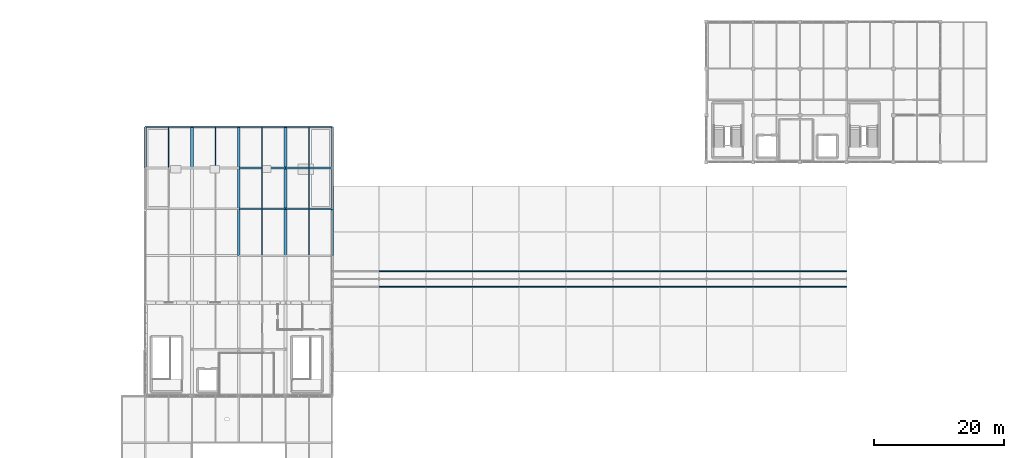
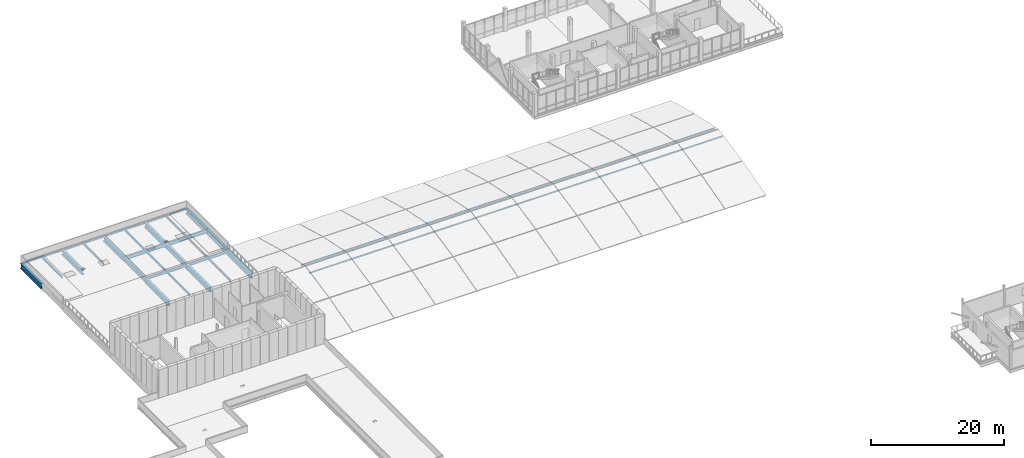
# One storey, part 13 of 47: 27 beams, 20 members.
"""IFC4 building model written with IfcOpenShell, lengths in metres."""

from ifc_helpers import new_model, si_unit, direction, frame, origin, origin_2d, place, context, subcontext, project, spatial, hollow_rectangle, i_section, extrude, material, material_profile, profile_set, type_object, element, save


model = new_model("IFC4")

# Units and contexts
model_context = context("Model", 3, precision=1e-05, world=origin(), true_north=direction((0.0, 1.0)))
body_context = subcontext(model_context, "Body", "Model", "MODEL_VIEW")
ifc_project = project(units=[si_unit("LENGTHUNIT", "METRE"), si_unit("AREAUNIT", "SQUARE_METRE"), si_unit("VOLUMEUNIT", "CUBIC_METRE"), si_unit("PLANEANGLEUNIT", "RADIAN"), si_unit("MASSUNIT", "GRAM", prefix="KILO")], contexts=[model_context])

# Site, building, storey
site_placement = place(None, origin())
site = spatial("IfcSite", under=ifc_project, at=site_placement, CompositionType="ELEMENT")
building_placement = place(site_placement, origin())
building = spatial("IfcBuilding", under=site, at=building_placement, Name="Yarey Park Central Fire Station", CompositionType="ELEMENT")
storey_placement = place(building_placement, frame((0.0, 0.0, 18.0)))
storey = spatial("IfcBuildingStorey", under=building, at=storey_placement, Name="L05", CompositionType="ELEMENT", Elevation=18.0)

# Beams
ifc_material_1 = material(Name="Steel ASTM A992 Gr. 50", Category="steel")
ifc_material_profile_1 = material_profile(ifc_material_1, i_section(OverallWidth=0.208984375, OverallDepth=0.532958984375, WebThickness=0.01025390625, FlangeThickness=0.015625, at=origin_2d()), Name="W530x92")
ifc_profile_set_1 = profile_set([ifc_material_profile_1], Name="Steel ASTM A992 Gr. 50")
beam_type_1 = type_object("IfcBeamType", Name="STR_BM_W530", PredefinedType="BEAM", material=ifc_profile_set_1)
beam_1_placement = place(storey_placement, frame((43.199951171875, 86.39990234375, -0.531494140625), z_axis=(1.0, 0.0, 0.0), x_axis=(0.0, 1.0, 0.0)))
element("IfcBeam", 1, at=beam_1_placement, inside=storey, type_object=beam_type_1, Name="BMX L05 Y864 X432", PredefinedType="BEAM", context=body_context, shape_type="SweptSolid", body=[
    extrude(i_section(OverallWidth=0.208984375, OverallDepth=0.532958984375, WebThickness=0.01025390625, FlangeThickness=0.015625, at=origin_2d()), origin(), (0.0, 0.0, 1.0), 7.199951171875),
])
beam_2_placement = place(storey_placement, frame((50.39990234375, 86.39990234375, -0.531494140625), z_axis=(1.0, 0.0, 0.0), x_axis=(0.0, 1.0, 0.0)))
element("IfcBeam", 2, at=beam_2_placement, inside=storey, type_object=beam_type_1, Name="BMX L05 Y864 X504", PredefinedType="BEAM", context=body_context, shape_type="SweptSolid", body=[
    extrude(i_section(OverallWidth=0.208984375, OverallDepth=0.532958984375, WebThickness=0.01025390625, FlangeThickness=0.015625, at=origin_2d()), origin(), (0.0, 0.0, 1.0), 7.2001953125),
])
ifc_material_profile_2 = material_profile(ifc_material_1, i_section(OverallWidth=0.256103515625, OverallDepth=0.693115234375, WebThickness=0.014404296875, FlangeThickness=0.023681640625, at=origin_2d()), Name="W690x170")
ifc_profile_set_2 = profile_set([ifc_material_profile_2], Name="Steel ASTM A992 Gr. 50")
beam_type_2 = type_object("IfcBeamType", Name="STR_BM_W690", PredefinedType="BEAM", material=ifc_profile_set_2)
beam_3_placement = place(storey_placement, frame((43.199951171875, 92.699951171875, -0.556396484375), z_axis=(1.0, 0.0, 0.0), x_axis=(0.0, 1.0, 0.0)))
element("IfcBeam", 3, at=beam_3_placement, inside=storey, type_object=beam_type_2, Name="CANT TIE L05 Y927 X43", PredefinedType="BEAM", context=body_context, shape_type="SweptSolid", body=[
    extrude(i_section(OverallWidth=0.256103515625, OverallDepth=0.693115234375, WebThickness=0.014404296875, FlangeThickness=0.023681640625, at=origin_2d()), origin(), (0.0, 0.0, 1.0), 7.199951171875),
])
beam_4_placement = place(storey_placement, frame((50.39990234375, 92.699951171875, -0.556396484375), z_axis=(1.0, 0.0, 0.0), x_axis=(0.0, 1.0, 0.0)))
element("IfcBeam", 4, at=beam_4_placement, inside=storey, type_object=beam_type_2, Name="CANT TIE L05 Y927 X50", PredefinedType="BEAM", context=body_context, shape_type="SweptSolid", body=[
    extrude(i_section(OverallWidth=0.256103515625, OverallDepth=0.693115234375, WebThickness=0.014404296875, FlangeThickness=0.023681640625, at=origin_2d()), origin(), (0.0, 0.0, 1.0), 7.2001953125),
])
ifc_material_profile_3 = material_profile(ifc_material_1, i_section(OverallWidth=0.41796875, OverallDepth=0.912109375, WebThickness=0.019287109375, FlangeThickness=0.031982421875, at=origin_2d()), Name="W920x342")
ifc_profile_set_3 = profile_set([ifc_material_profile_3], Name="Steel ASTM A992 Gr. 50")
beam_type_3 = type_object("IfcBeamType", Name="STR_BM_W920", PredefinedType="BEAM", material=ifc_profile_set_3)
beam_5_placement = place(storey_placement, frame((36.0, 92.699951171875, -0.666015625), z_axis=(0.0, 1.0, 0.0), x_axis=(-1.0, 0.0, 0.0)))
element("IfcBeam", 5, at=beam_5_placement, inside=storey, type_object=beam_type_3, Name="Transfer Truss TT2 L05 CH6", PredefinedType="BEAM", context=body_context, shape_type="SweptSolid", body=[
    extrude(i_section(OverallWidth=0.41796875, OverallDepth=0.912109375, WebThickness=0.019287109375, FlangeThickness=0.031982421875, at=origin_2d()), origin(), (0.0, 0.0, 1.0), 6.300048828125),
])
beam_6_placement = place(storey_placement, frame((43.199951171875, 79.199951171875, -0.720947265625), z_axis=(0.0, 1.0, 0.0), x_axis=(-1.0, 0.0, 0.0)))
element("IfcBeam", 6, at=beam_6_placement, inside=storey, type_object=beam_type_3, Name="Transfer Truss TT3 L05 CH4", PredefinedType="BEAM", context=body_context, shape_type="SweptSolid", body=[
    extrude(i_section(OverallWidth=0.41796875, OverallDepth=0.912109375, WebThickness=0.019287109375, FlangeThickness=0.031982421875, at=origin_2d()), origin(), (0.0, 0.0, 1.0), 7.199951171875),
])
for number, where, z_axis, x_axis, name in (
    (7, (43.199951171875, 86.39990234375, -0.666015625), (0.0, 1.0, 0.0), (-1.0, 0.0, 0.0), "Transfer Truss TT3 L05 CH5"),
    (8, (43.199951171875, 92.699951171875, -0.666015625), (0.0, 1.0, 0.0), (-1.0, 0.0, 0.0), "Transfer Truss TT3 L05 CH6"),
):
    element("IfcBeam", number, at=place(storey_placement, frame(where, z_axis=z_axis, x_axis=x_axis)), inside=storey, type_object=beam_type_3, Name=name, PredefinedType="BEAM", context=body_context, shape_type="SweptSolid", body=[
        extrude(i_section(OverallWidth=0.41796875, OverallDepth=0.912109375, WebThickness=0.019287109375, FlangeThickness=0.031982421875, at=origin_2d()), origin(), (0.0, 0.0, 1.0), 6.300048828125),
    ])
beam_7_placement = place(storey_placement, frame((50.39990234375, 79.199951171875, -0.720947265625), z_axis=(0.0, 1.0, 0.0), x_axis=(-1.0, 0.0, 0.0)))
element("IfcBeam", 9, at=beam_7_placement, inside=storey, type_object=beam_type_3, Name="Transfer Truss TT4 L05 CH4", PredefinedType="BEAM", context=body_context, shape_type="SweptSolid", body=[
    extrude(i_section(OverallWidth=0.41796875, OverallDepth=0.912109375, WebThickness=0.019287109375, FlangeThickness=0.031982421875, at=origin_2d()), origin(), (0.0, 0.0, 1.0), 7.199951171875),
])
for number, where, z_axis, x_axis, name in (
    (10, (50.39990234375, 86.39990234375, -0.666015625), (0.0, 1.0, 0.0), (-1.0, 0.0, 0.0), "Transfer Truss TT4 L05 CH5"),
    (11, (50.39990234375, 92.699951171875, -0.666015625), (0.0, 1.0, 0.0), (-1.0, 0.0, 0.0), "Transfer Truss TT4 L05 CH6"),
):
    element("IfcBeam", number, at=place(storey_placement, frame(where, z_axis=z_axis, x_axis=x_axis)), inside=storey, type_object=beam_type_3, Name=name, PredefinedType="BEAM", context=body_context, shape_type="SweptSolid", body=[
        extrude(i_section(OverallWidth=0.41796875, OverallDepth=0.912109375, WebThickness=0.019287109375, FlangeThickness=0.031982421875, at=origin_2d()), origin(), (0.0, 0.0, 1.0), 6.300048828125),
    ])
ifc_material_profile_4 = material_profile(ifc_material_1, i_section(OverallWidth=0.41796875, OverallDepth=0.912109375, WebThickness=0.019287109375, FlangeThickness=0.031982421875, at=origin_2d()), Name="W920x342")
ifc_profile_set_4 = profile_set([ifc_material_profile_4], Name="Steel ASTM A992 Gr. 50")
beam_type_4 = type_object("IfcBeamType", Name="STR_BM_W920E", PredefinedType="BEAM", material=ifc_profile_set_4)
beam_8_placement = place(storey_placement, frame((28.800048828125, 92.699951171875, -0.666015625), z_axis=(0.0, 1.0, 0.0), x_axis=(-1.0, 0.0, 0.0)))
element("IfcBeam", 12, at=beam_8_placement, inside=storey, type_object=beam_type_4, Name="Transfer Truss TT1 L05 CH6", PredefinedType="BEAM", context=body_context, shape_type="SweptSolid", body=[
    extrude(i_section(OverallWidth=0.41796875, OverallDepth=0.912109375, WebThickness=0.019287109375, FlangeThickness=0.031982421875, at=origin_2d()), origin(), (0.0, 0.0, 1.0), 6.300048828125),
])
beam_9_placement = place(storey_placement, frame((57.60009765625, 79.199951171875, -0.720947265625), z_axis=(0.0, 1.0, 0.0), x_axis=(-1.0, 0.0, 0.0)))
element("IfcBeam", 13, at=beam_9_placement, inside=storey, type_object=beam_type_4, Name="Transfer Truss TT5 L05 CH4", PredefinedType="BEAM", context=body_context, shape_type="SweptSolid", body=[
    extrude(i_section(OverallWidth=0.41796875, OverallDepth=0.912109375, WebThickness=0.019287109375, FlangeThickness=0.031982421875, at=origin_2d()), origin(), (0.0, 0.0, 1.0), 7.199951171875),
])
for number, where, z_axis, x_axis, name in (
    (14, (57.60009765625, 86.39990234375, -0.666015625), (0.0, 1.0, 0.0), (-1.0, 0.0, 0.0), "Transfer Truss TT5 L05 CH5"),
    (15, (57.60009765625, 92.699951171875, -0.666015625), (0.0, 1.0, 0.0), (-1.0, 0.0, 0.0), "Transfer Truss TT5 L05 CH6"),
):
    element("IfcBeam", number, at=place(storey_placement, frame(where, z_axis=z_axis, x_axis=x_axis)), inside=storey, type_object=beam_type_4, Name=name, PredefinedType="BEAM", context=body_context, shape_type="SweptSolid", body=[
        extrude(i_section(OverallWidth=0.41796875, OverallDepth=0.912109375, WebThickness=0.019287109375, FlangeThickness=0.031982421875, at=origin_2d()), origin(), (0.0, 0.0, 1.0), 6.300048828125),
    ])

# Members
ifc_material_2 = material(Name="Steel ASTM A500 Gr. C", Category="steel")
ifc_material_profile_5 = material_profile(ifc_material_2, hollow_rectangle(XDim=0.125, YDim=0.25, WallThickness=0.008056640625, at=origin_2d()), Name="HSS 250x125x8")
ifc_profile_set_5 = profile_set([ifc_material_profile_5], Name="Steel ASTM A500 Gr. C")
member_type_1 = type_object("IfcMemberType", Name="STR_GIRT_HSS250", PredefinedType="PURLIN", material=ifc_profile_set_5)
for number, where, z_axis, x_axis, name in (
    (16, (64.800048828125, 74.39990234375, 0.224365234375), (1.0, 0.0, 0.0), (0.0, 1.0, 0.0), "PUR_ARCH_B02_4"),
    (17, (72.0, 74.39990234375, 0.224365234375), (1.0, 0.0, 0.0), (0.0, 1.0, 0.0), "PUR_ARCH_B03_4"),
    (18, (79.199951171875, 74.39990234375, 0.224365234375), (1.0, 0.0, 0.0), (0.0, 1.0, 0.0), "PUR_ARCH_B04_4"),
):
    element("IfcMember", number, at=place(storey_placement, frame(where, z_axis=z_axis, x_axis=x_axis)), inside=storey, type_object=member_type_1, Name=name, PredefinedType="PURLIN", context=body_context, shape_type="SweptSolid", body=[
        extrude(hollow_rectangle(XDim=0.125, YDim=0.25, WallThickness=0.008056640625, at=origin_2d()), origin(), (0.0, 0.0, 1.0), 7.199951171875),
    ])
member_1_placement = place(storey_placement, frame((86.39990234375, 74.39990234375, 0.224365234375), z_axis=(1.0, 0.0, 0.0), x_axis=(0.0, 1.0, 0.0)))
element("IfcMember", 19, at=member_1_placement, inside=storey, type_object=member_type_1, Name="PUR_ARCH_B05_4", PredefinedType="PURLIN", context=body_context, shape_type="SweptSolid", body=[
    extrude(hollow_rectangle(XDim=0.125, YDim=0.25, WallThickness=0.008056640625, at=origin_2d()), origin(), (0.0, 0.0, 1.0), 7.2001953125),
])
for number, where, z_axis, x_axis, name in (
    (20, (93.60009765625, 74.39990234375, 0.224365234375), (1.0, 0.0, 0.0), (0.0, 1.0, 0.0), "PUR_ARCH_B06_4"),
    (21, (100.800048828125, 74.39990234375, 0.224365234375), (1.0, 0.0, 0.0), (0.0, 1.0, 0.0), "PUR_ARCH_B07_4"),
    (22, (108.0, 74.39990234375, 0.224365234375), (1.0, 0.0, 0.0), (0.0, 1.0, 0.0), "PUR_ARCH_B08_4"),
    (23, (115.199951171875, 74.39990234375, 0.224365234375), (1.0, 0.0, 0.0), (0.0, 1.0, 0.0), "PUR_ARCH_B09_4"),
):
    element("IfcMember", number, at=place(storey_placement, frame(where, z_axis=z_axis, x_axis=x_axis)), inside=storey, type_object=member_type_1, Name=name, PredefinedType="PURLIN", context=body_context, shape_type="SweptSolid", body=[
        extrude(hollow_rectangle(XDim=0.125, YDim=0.25, WallThickness=0.008056640625, at=origin_2d()), origin(), (0.0, 0.0, 1.0), 7.199951171875),
    ])
member_2_placement = place(storey_placement, frame((122.39990234375, 74.39990234375, 0.224365234375), z_axis=(1.0, 0.0, 0.0), x_axis=(0.0, 1.0, 0.0)))
element("IfcMember", 24, at=member_2_placement, inside=storey, type_object=member_type_1, Name="PUR_ARCH_B10_4", PredefinedType="PURLIN", context=body_context, shape_type="SweptSolid", body=[
    extrude(hollow_rectangle(XDim=0.125, YDim=0.25, WallThickness=0.008056640625, at=origin_2d()), origin(), (0.0, 0.0, 1.0), 7.2001953125),
])
member_3_placement = place(storey_placement, frame((129.60009765625, 74.39990234375, 0.224365234375), z_axis=(1.0, 0.0, 0.0), x_axis=(0.0, 1.0, 0.0)))
element("IfcMember", 25, at=member_3_placement, inside=storey, type_object=member_type_1, Name="PUR_ARCH_B11_4", PredefinedType="PURLIN", context=body_context, shape_type="SweptSolid", body=[
    extrude(hollow_rectangle(XDim=0.125, YDim=0.25, WallThickness=0.008056640625, at=origin_2d()), origin(), (0.0, 0.0, 1.0), 7.199951171875),
])

# Beams
ifc_material_profile_6 = material_profile(ifc_material_1, i_section(OverallWidth=0.177978515625, OverallDepth=0.406982421875, WebThickness=0.0078125, FlangeThickness=0.0126953125, at=origin_2d()), Name="W410x60")
ifc_profile_set_6 = profile_set([ifc_material_profile_6], Name="Steel ASTM A992 Gr. 50")
beam_type_5 = type_object("IfcBeamType", Name="STR_JST_W410", PredefinedType="JOIST", material=ifc_profile_set_6)
for number, where, z_axis, x_axis, name in (
    (26, (32.39990234375, 92.780029296875, -0.41357421875), (0.0, 1.0, 0.0), (-1.0, 0.0, 0.0), "CANT JST L05 X324 Y927"),
    (27, (39.60009765625, 92.780029296875, -0.41357421875), (0.0, 1.0, 0.0), (-1.0, 0.0, 0.0), "CANT JST L05 X396 Y927"),
):
    element("IfcBeam", number, at=place(storey_placement, frame(where, z_axis=z_axis, x_axis=x_axis)), inside=storey, type_object=beam_type_5, Name=name, PredefinedType="JOIST", context=body_context, shape_type="SweptSolid", body=[
        extrude(i_section(OverallWidth=0.177978515625, OverallDepth=0.406982421875, WebThickness=0.0078125, FlangeThickness=0.0126953125, at=origin_2d()), origin(), (0.0, 0.0, 1.0), 6.139892578125),
    ])
beam_10_placement = place(storey_placement, frame((46.800048828125, 86.47998046875, -0.41357421875), z_axis=(0.0, 1.0, 0.0), x_axis=(-1.0, 0.0, 0.0)))
element("IfcBeam", 28, at=beam_10_placement, inside=storey, type_object=beam_type_5, Name="CANT JST L05 X468 Y864", PredefinedType="JOIST", context=body_context, shape_type="SweptSolid", body=[
    extrude(i_section(OverallWidth=0.177978515625, OverallDepth=0.406982421875, WebThickness=0.0078125, FlangeThickness=0.0126953125, at=origin_2d()), origin(), (0.0, 0.0, 1.0), 6.14013671875),
])
beam_11_placement = place(storey_placement, frame((46.800048828125, 92.780029296875, -0.41357421875), z_axis=(0.0, 1.0, 0.0), x_axis=(-1.0, 0.0, 0.0)))
element("IfcBeam", 29, at=beam_11_placement, inside=storey, type_object=beam_type_5, Name="CANT JST L05 X468 Y927", PredefinedType="JOIST", context=body_context, shape_type="SweptSolid", body=[
    extrude(i_section(OverallWidth=0.177978515625, OverallDepth=0.406982421875, WebThickness=0.0078125, FlangeThickness=0.0126953125, at=origin_2d()), origin(), (0.0, 0.0, 1.0), 6.139892578125),
])
beam_12_placement = place(storey_placement, frame((54.0, 86.47998046875, -0.41357421875), z_axis=(0.0, 1.0, 0.0), x_axis=(-1.0, 0.0, 0.0)))
element("IfcBeam", 30, at=beam_12_placement, inside=storey, type_object=beam_type_5, Name="CANT JST L05 X540 Y864", PredefinedType="JOIST", context=body_context, shape_type="SweptSolid", body=[
    extrude(i_section(OverallWidth=0.177978515625, OverallDepth=0.406982421875, WebThickness=0.0078125, FlangeThickness=0.0126953125, at=origin_2d()), origin(), (0.0, 0.0, 1.0), 6.14013671875),
])
beam_13_placement = place(storey_placement, frame((54.0, 92.780029296875, -0.41357421875), z_axis=(0.0, 1.0, 0.0), x_axis=(-1.0, 0.0, 0.0)))
element("IfcBeam", 31, at=beam_13_placement, inside=storey, type_object=beam_type_5, Name="CANT JST L05 X540 Y927", PredefinedType="JOIST", context=body_context, shape_type="SweptSolid", body=[
    extrude(i_section(OverallWidth=0.177978515625, OverallDepth=0.406982421875, WebThickness=0.0078125, FlangeThickness=0.0126953125, at=origin_2d()), origin(), (0.0, 0.0, 1.0), 6.139892578125),
])
for number, where, z_axis, x_axis, name in (
    (32, (46.800048828125, 79.294921875, -0.468505859375), (0.0, 1.0, 0.0), (-1.0, 0.0, 0.0), "JST L05 X468 Y792"),
    (33, (54.0, 79.294921875, -0.468505859375), (0.0, 1.0, 0.0), (-1.0, 0.0, 0.0), "JST L05 X540 Y792"),
):
    element("IfcBeam", number, at=place(storey_placement, frame(where, z_axis=z_axis, x_axis=x_axis)), inside=storey, type_object=beam_type_5, Name=name, PredefinedType="JOIST", context=body_context, shape_type="SweptSolid", body=[
        extrude(i_section(OverallWidth=0.177978515625, OverallDepth=0.406982421875, WebThickness=0.0078125, FlangeThickness=0.0126953125, at=origin_2d()), origin(), (0.0, 0.0, 1.0), 7.010009765625),
    ])

# Members
ifc_material_profile_7 = material_profile(ifc_material_2, hollow_rectangle(XDim=0.14990234375, YDim=0.300048828125, WallThickness=0.010009765625, at=origin_2d()), Name="HSS 300x150x10")
ifc_profile_set_7 = profile_set([ifc_material_profile_7], Name="Steel ASTM A500 Gr. C")
member_type_2 = type_object("IfcMemberType", Name="STR_PUR_HSS300", PredefinedType="PURLIN", material=ifc_profile_set_7)
for number, where, z_axis, x_axis, name in (
    (34, (64.800048828125, 76.800048828125, 0.19921875), (1.0, 0.0, 0.0), (0.0, 1.0, 0.0), "PUR_ARCH_B02_5"),
    (35, (72.0, 76.800048828125, 0.19921875), (1.0, 0.0, 0.0), (0.0, 1.0, 0.0), "PUR_ARCH_B03_5"),
    (36, (79.199951171875, 76.800048828125, 0.19921875), (1.0, 0.0, 0.0), (0.0, 1.0, 0.0), "PUR_ARCH_B04_5"),
):
    element("IfcMember", number, at=place(storey_placement, frame(where, z_axis=z_axis, x_axis=x_axis)), inside=storey, type_object=member_type_2, Name=name, PredefinedType="PURLIN", context=body_context, shape_type="SweptSolid", body=[
        extrude(hollow_rectangle(XDim=0.14990234375, YDim=0.300048828125, WallThickness=0.010009765625, at=origin_2d()), origin(), (0.0, 0.0, 1.0), 7.199951171875),
    ])
member_4_placement = place(storey_placement, frame((86.39990234375, 76.800048828125, 0.19921875), z_axis=(1.0, 0.0, 0.0), x_axis=(0.0, 1.0, 0.0)))
element("IfcMember", 37, at=member_4_placement, inside=storey, type_object=member_type_2, Name="PUR_ARCH_B05_5", PredefinedType="PURLIN", context=body_context, shape_type="SweptSolid", body=[
    extrude(hollow_rectangle(XDim=0.14990234375, YDim=0.300048828125, WallThickness=0.010009765625, at=origin_2d()), origin(), (0.0, 0.0, 1.0), 7.2001953125),
])
for number, where, z_axis, x_axis, name in (
    (38, (93.60009765625, 76.800048828125, 0.19921875), (1.0, 0.0, 0.0), (0.0, 1.0, 0.0), "PUR_ARCH_B06_5"),
    (39, (100.800048828125, 76.800048828125, 0.19921875), (1.0, 0.0, 0.0), (0.0, 1.0, 0.0), "PUR_ARCH_B07_5"),
    (40, (108.0, 76.800048828125, 0.19921875), (1.0, 0.0, 0.0), (0.0, 1.0, 0.0), "PUR_ARCH_B08_5"),
    (41, (115.199951171875, 76.800048828125, 0.19921875), (1.0, 0.0, 0.0), (0.0, 1.0, 0.0), "PUR_ARCH_B09_5"),
):
    element("IfcMember", number, at=place(storey_placement, frame(where, z_axis=z_axis, x_axis=x_axis)), inside=storey, type_object=member_type_2, Name=name, PredefinedType="PURLIN", context=body_context, shape_type="SweptSolid", body=[
        extrude(hollow_rectangle(XDim=0.14990234375, YDim=0.300048828125, WallThickness=0.010009765625, at=origin_2d()), origin(), (0.0, 0.0, 1.0), 7.199951171875),
    ])
member_5_placement = place(storey_placement, frame((122.39990234375, 76.800048828125, 0.19921875), z_axis=(1.0, 0.0, 0.0), x_axis=(0.0, 1.0, 0.0)))
element("IfcMember", 42, at=member_5_placement, inside=storey, type_object=member_type_2, Name="PUR_ARCH_B10_5", PredefinedType="PURLIN", context=body_context, shape_type="SweptSolid", body=[
    extrude(hollow_rectangle(XDim=0.14990234375, YDim=0.300048828125, WallThickness=0.010009765625, at=origin_2d()), origin(), (0.0, 0.0, 1.0), 7.2001953125),
])
member_6_placement = place(storey_placement, frame((129.60009765625, 76.800048828125, 0.19921875), z_axis=(1.0, 0.0, 0.0), x_axis=(0.0, 1.0, 0.0)))
element("IfcMember", 43, at=member_6_placement, inside=storey, type_object=member_type_2, Name="PUR_ARCH_B11_5", PredefinedType="PURLIN", context=body_context, shape_type="SweptSolid", body=[
    extrude(hollow_rectangle(XDim=0.14990234375, YDim=0.300048828125, WallThickness=0.010009765625, at=origin_2d()), origin(), (0.0, 0.0, 1.0), 7.199951171875),
])

# Beams
ifc_material_profile_8 = material_profile(ifc_material_1, i_section(OverallWidth=0.1650390625, OverallDepth=0.31005859375, WebThickness=0.005859375, FlangeThickness=0.009765625, at=origin_2d()), Name="W310x39")
ifc_profile_set_8 = profile_set([ifc_material_profile_8], Name="Steel ASTM A992 Gr. 50")
beam_type_6 = type_object("IfcBeamType", Name="STR_SPN_W310", PredefinedType="SPANDREL", material=ifc_profile_set_8)
for number, where, z_axis, x_axis, name in (
    (44, (28.800048828125, 99.0, -0.364990234375), (1.0, 0.0, 0.0), (0.0, 1.0, 0.0), "CANT TIE L05 Y990 X28"),
    (45, (36.0, 99.0, -0.364990234375), (1.0, 0.0, 0.0), (0.0, 1.0, 0.0), "CANT TIE L05 Y990 X36"),
    (46, (43.199951171875, 99.0, -0.364990234375), (1.0, 0.0, 0.0), (0.0, 1.0, 0.0), "CANT TIE L05 Y990 X43"),
):
    element("IfcBeam", number, at=place(storey_placement, frame(where, z_axis=z_axis, x_axis=x_axis)), inside=storey, type_object=beam_type_6, Name=name, PredefinedType="SPANDREL", context=body_context, shape_type="SweptSolid", body=[
        extrude(i_section(OverallWidth=0.1650390625, OverallDepth=0.31005859375, WebThickness=0.005859375, FlangeThickness=0.009765625, at=origin_2d()), origin(), (0.0, 0.0, 1.0), 7.199951171875),
    ])
beam_14_placement = place(storey_placement, frame((50.39990234375, 99.0, -0.364990234375), z_axis=(1.0, 0.0, 0.0), x_axis=(0.0, 1.0, 0.0)))
element("IfcBeam", 47, at=beam_14_placement, inside=storey, type_object=beam_type_6, Name="CANT TIE L05 Y990 X50", PredefinedType="SPANDREL", context=body_context, shape_type="SweptSolid", body=[
    extrude(i_section(OverallWidth=0.1650390625, OverallDepth=0.31005859375, WebThickness=0.005859375, FlangeThickness=0.009765625, at=origin_2d()), origin(), (0.0, 0.0, 1.0), 7.2001953125),
])

save(model, "model.ifc")
